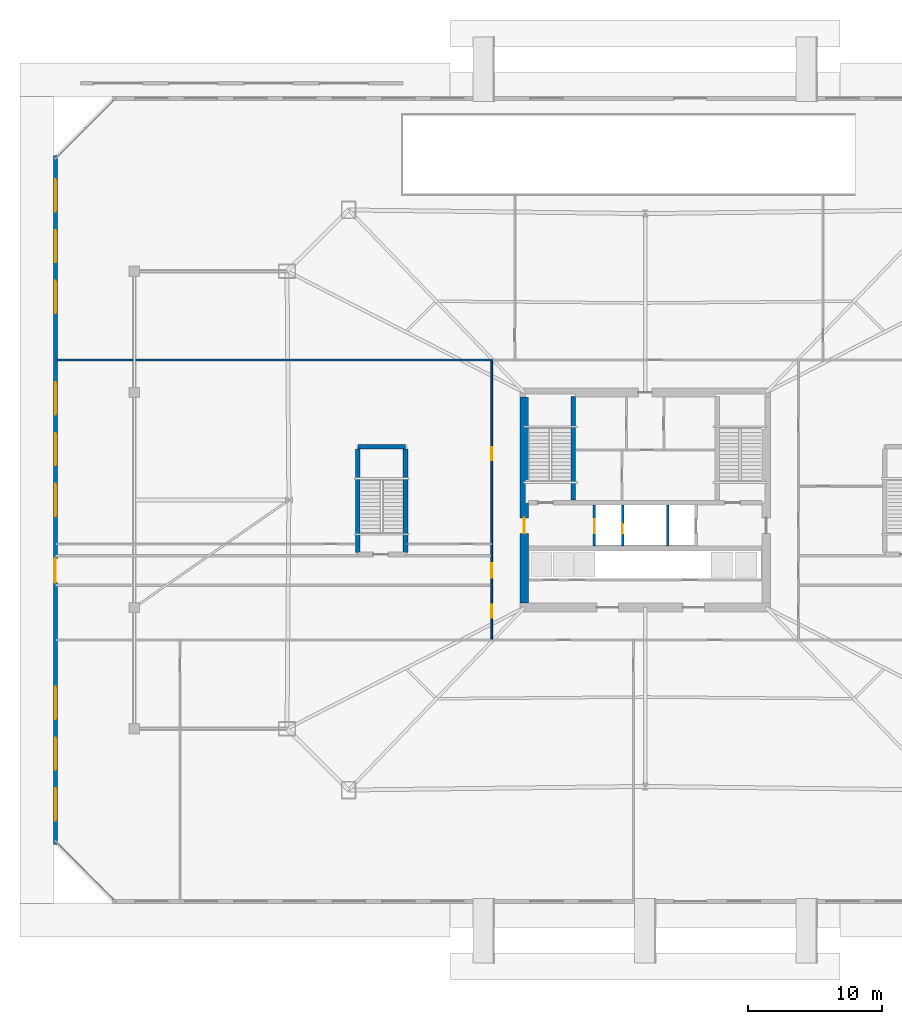
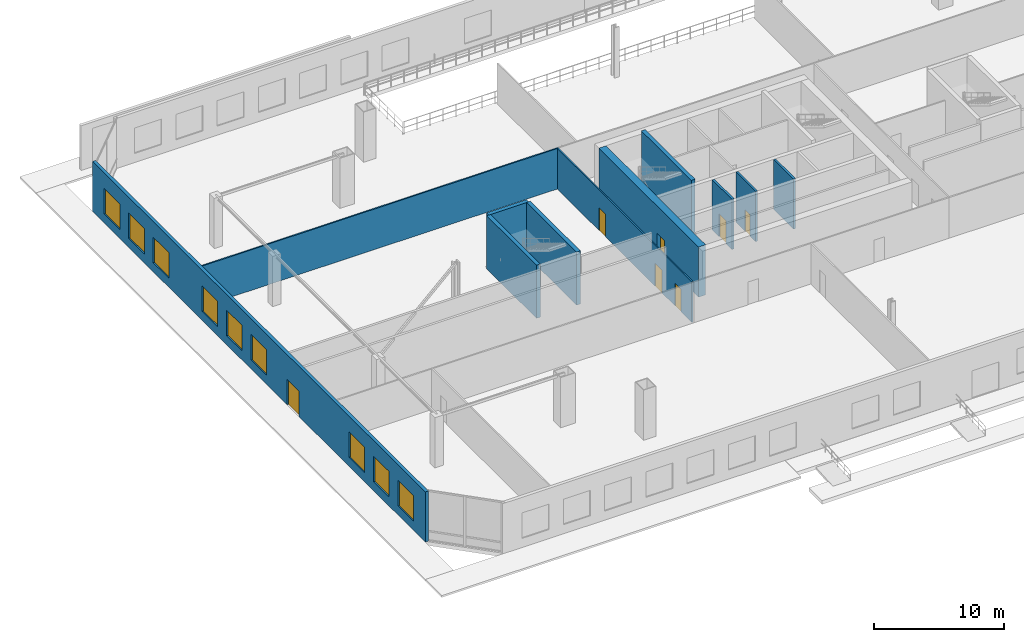
# One storey, part 15 of 23: 11 walls, 9 windows, 7 doors, 16 openings.
"""IFC4 building model written with IfcOpenShell, lengths in metres."""

from ifc_helpers import new_model, si_unit, direction, frame, frame_2d, origin, place, context, subcontext, project, spatial, rectangle, extrude, material, layer, layer_set, type_object, element, fill, save


model = new_model("IFC4")

# Units and contexts
model_context = context("Model", 3, precision=1e-05, world=origin(), true_north=direction((0.0, 1.0)))
body_context = subcontext(model_context, "Body", "Model", "MODEL_VIEW")
ifc_project = project(units=[si_unit("LENGTHUNIT", "METRE"), si_unit("AREAUNIT", "SQUARE_METRE"), si_unit("VOLUMEUNIT", "CUBIC_METRE"), si_unit("PLANEANGLEUNIT", "RADIAN"), si_unit("MASSUNIT", "GRAM", prefix="KILO")], contexts=[model_context])

# Site, building, storey
site_placement = place(None, origin())
site = spatial("IfcSite", under=ifc_project, at=site_placement, CompositionType="ELEMENT")
building_placement = place(site_placement, origin())
building = spatial("IfcBuilding", under=site, at=building_placement, Name="Caelvoria Tower", CompositionType="ELEMENT")
storey_placement = place(building_placement, origin())
storey = spatial("IfcBuildingStorey", under=building, at=storey_placement, Name="L00", CompositionType="ELEMENT", Elevation=0.0)

# Walls
ifc_material_1 = material(Name="Concrete C50/60", Category="concrete")
ifc_layer_1 = layer(ifc_material_1, 0.35009765625, Name="Concrete C50/60")
ifc_layer_set_1 = layer_set([ifc_layer_1], Name="Core Internal Shear Wall 350 - Concrete C50/60")
wall_type_1 = type_object("IfcWallType", Name="Core Internal Shear Wall 350", PredefinedType="SHEAR", material=ifc_layer_set_1)
wall_1_placement = place(storey_placement, frame((40.64990234375, 32.0, 0.0), z_axis=(0.0, 0.0, 1.0), x_axis=(0.0, 1.0, 0.0)))
element("IfcWall", 1, at=wall_1_placement, inside=storey, type_object=wall_type_1, Name="Interior Partition IW-L00-ST1E", PredefinedType="SHEAR", context=body_context, shape_type="SweptSolid", body=[
    extrude(rectangle(XDim=7.699951171875, YDim=0.35009765625, at=frame_2d((3.85009765625, 0.0))), origin(), (0.0, 0.0, 1.0), 5.0),
])
wall_2_placement = place(storey_placement, frame((24.625, 35.949951171875, 0.0), z_axis=(0.0, 0.0, 1.0), x_axis=(1.0, 0.0, 0.0)))
element("IfcWall", 2, at=wall_2_placement, inside=storey, type_object=wall_type_1, Name="Podium Stair Shear Wall L00 ST3 N", PredefinedType="SHEAR", context=body_context, shape_type="SweptSolid", body=[
    extrude(rectangle(XDim=3.550048828125, YDim=0.35009765625, at=frame_2d((1.77490234375, 0.0))), origin(), (0.0, 0.0, 1.0), 5.0),
])
for number, where, z_axis, x_axis, name in (
    (3, (24.625, 28.10009765625, 0.0), (0.0, 0.0, 1.0), (0.0, 1.0, 0.0), "Podium Stair Shear Wall L00 ST3 W"),
    (4, (28.175048828125, 28.10009765625, 0.0), (0.0, 0.0, 1.0), (0.0, 1.0, 0.0), "Podium Stair Shear Wall L00 ST3 E"),
):
    element("IfcWall", number, at=place(storey_placement, frame(where, z_axis=z_axis, x_axis=x_axis)), inside=storey, type_object=wall_type_1, Name=name, PredefinedType="SHEAR", context=body_context, shape_type="SweptSolid", body=[
        extrude(rectangle(XDim=7.699951171875, YDim=0.35009765625, at=frame_2d((3.85009765625, 0.0))), origin(), (0.0, 0.0, 1.0), 5.0),
    ])

# Wall, openings, windows, door
ifc_material_2 = material(Name="Precast Concrete C40/50 with Bronze Cladding", Category="concrete")
ifc_layer_2 = layer(ifc_material_2, 0.280029296875, Name="Precast Concrete C40/50 with Bronze Cladding")
ifc_layer_set_2 = layer_set([ifc_layer_2], Name="Exterior Precast Concrete C40/50 Bronze-Clad Facade Wall 280 - Precast Concrete C40/50 with Bronze Cladding")
wall_type_2 = type_object("IfcWallType", Name="Exterior Precast Concrete C40/50 Bronze-Clad Facade Wall 280", PredefinedType="STANDARD", material=ifc_layer_set_2)
wall_3_placement = place(storey_placement, frame((2.139892578125, 57.639892578125, 0.0), z_axis=(0.0, 0.0, 1.0), x_axis=(0.0, -1.0, 0.0)))
wall_3 = element("IfcWall", 5, at=wall_3_placement, inside=storey, type_object=wall_type_2, Name="Exterior Facade Wall L00-E6", PredefinedType="STANDARD", context=body_context, shape_type="SweptSolid", body=[
    extrude(rectangle(XDim=51.27978515625, YDim=0.280029296875, at=frame_2d((25.639892578125, 0.0))), origin(), (0.0, 0.0, 1.0), 4.719970703125),
])
opening_1_placement = place(wall_3_placement, frame((29.989990234375, 0.0, 0.0)))
opening_1 = element("IfcOpeningElement", 6, at=opening_1_placement, cuts=wall_3, Name="Opening ED-02", PredefinedType="OPENING", context=body_context, shape_type="SweptSolid", body=[
    extrude(rectangle(XDim=1.800048828125, YDim=2.39990234375, at=frame_2d((0.89990234375, 1.199951171875))), frame((0.0, 0.14990234375, 0.0), z_axis=(0.0, -1.0, 0.0), x_axis=(1.0, 0.0, 0.0)), (0.0, 0.0, 1.0), 0.300048828125),
])
opening_2_placement = place(wall_3_placement, frame((1.78759765625, 0.0, 0.85009765625)))
opening_2 = element("IfcOpeningElement", 7, at=opening_2_placement, cuts=wall_3, Name="Opening WN-04", PredefinedType="OPENING", context=body_context, shape_type="SweptSolid", body=[
    extrude(rectangle(XDim=2.39990234375, YDim=2.39990234375, at=frame_2d((1.199951171875, 1.199951171875))), frame((0.0, 0.14990234375, 0.0), z_axis=(0.0, -1.0, 0.0), x_axis=(1.0, 0.0, 0.0)), (0.0, 0.0, 1.0), 0.300048828125),
])
opening_3_placement = place(wall_3_placement, frame((5.56298828125, 0.0, 0.85009765625)))
opening_3 = element("IfcOpeningElement", 8, at=opening_3_placement, cuts=wall_3, Name="Opening WN-04", PredefinedType="OPENING", context=body_context, shape_type="SweptSolid", body=[
    extrude(rectangle(XDim=2.39990234375, YDim=2.39990234375, at=frame_2d((1.199951171875, 1.199951171875))), frame((0.0, 0.14990234375, 0.0), z_axis=(0.0, -1.0, 0.0), x_axis=(1.0, 0.0, 0.0)), (0.0, 0.0, 1.0), 0.300048828125),
])
opening_4_placement = place(wall_3_placement, frame((9.33837890625, 0.0, 0.85009765625)))
opening_4 = element("IfcOpeningElement", 9, at=opening_4_placement, cuts=wall_3, Name="Opening WN-04", PredefinedType="OPENING", context=body_context, shape_type="SweptSolid", body=[
    extrude(rectangle(XDim=2.39990234375, YDim=2.39990234375, at=frame_2d((1.199951171875, 1.199951171875))), frame((0.0, 0.14990234375, 0.0), z_axis=(0.0, -1.0, 0.0), x_axis=(1.0, 0.0, 0.0)), (0.0, 0.0, 1.0), 0.300048828125),
])
opening_5_placement = place(wall_3_placement, frame((16.88916015625, 0.0, 0.85009765625)))
opening_5 = element("IfcOpeningElement", 10, at=opening_5_placement, cuts=wall_3, Name="Opening WN-04", PredefinedType="OPENING", context=body_context, shape_type="SweptSolid", body=[
    extrude(rectangle(XDim=2.39990234375, YDim=2.39990234375, at=frame_2d((1.199951171875, 1.199951171875))), frame((0.0, 0.14990234375, 0.0), z_axis=(0.0, -1.0, 0.0), x_axis=(1.0, 0.0, 0.0)), (0.0, 0.0, 1.0), 0.300048828125),
])
opening_6_placement = place(wall_3_placement, frame((20.66455078125, 0.0, 0.85009765625)))
opening_6 = element("IfcOpeningElement", 11, at=opening_6_placement, cuts=wall_3, Name="Opening WN-04", PredefinedType="OPENING", context=body_context, shape_type="SweptSolid", body=[
    extrude(rectangle(XDim=2.39990234375, YDim=2.39990234375, at=frame_2d((1.199951171875, 1.199951171875))), frame((0.0, 0.14990234375, 0.0), z_axis=(0.0, -1.0, 0.0), x_axis=(1.0, 0.0, 0.0)), (0.0, 0.0, 1.0), 0.300048828125),
])
opening_7_placement = place(wall_3_placement, frame((24.43994140625, 0.0, 0.85009765625)))
opening_7 = element("IfcOpeningElement", 12, at=opening_7_placement, cuts=wall_3, Name="Opening WN-04", PredefinedType="OPENING", context=body_context, shape_type="SweptSolid", body=[
    extrude(rectangle(XDim=2.39990234375, YDim=2.39990234375, at=frame_2d((1.199951171875, 1.199951171875))), frame((0.0, 0.14990234375, 0.0), z_axis=(0.0, -1.0, 0.0), x_axis=(1.0, 0.0, 0.0)), (0.0, 0.0, 1.0), 0.300048828125),
])
opening_8_placement = place(wall_3_placement, frame((39.54150390625, 0.0, 0.85009765625)))
opening_8 = element("IfcOpeningElement", 13, at=opening_8_placement, cuts=wall_3, Name="Opening WN-04", PredefinedType="OPENING", context=body_context, shape_type="SweptSolid", body=[
    extrude(rectangle(XDim=2.39990234375, YDim=2.39990234375, at=frame_2d((1.199951171875, 1.199951171875))), frame((0.0, 0.14990234375, 0.0), z_axis=(0.0, -1.0, 0.0), x_axis=(1.0, 0.0, 0.0)), (0.0, 0.0, 1.0), 0.300048828125),
])
opening_9_placement = place(wall_3_placement, frame((43.31689453125, 0.0, 0.85009765625)))
opening_9 = element("IfcOpeningElement", 14, at=opening_9_placement, cuts=wall_3, Name="Opening WN-04", PredefinedType="OPENING", context=body_context, shape_type="SweptSolid", body=[
    extrude(rectangle(XDim=2.39990234375, YDim=2.39990234375, at=frame_2d((1.199951171875, 1.199951171875))), frame((0.0, 0.14990234375, 0.0), z_axis=(0.0, -1.0, 0.0), x_axis=(1.0, 0.0, 0.0)), (0.0, 0.0, 1.0), 0.300048828125),
])
opening_10_placement = place(wall_3_placement, frame((47.09228515625, 0.0, 0.85009765625)))
opening_10 = element("IfcOpeningElement", 15, at=opening_10_placement, cuts=wall_3, Name="Opening WN-04", PredefinedType="OPENING", context=body_context, shape_type="SweptSolid", body=[
    extrude(rectangle(XDim=2.39990234375, YDim=2.39990234375, at=frame_2d((1.199951171875, 1.199951171875))), frame((0.0, 0.14990234375, 0.0), z_axis=(0.0, -1.0, 0.0), x_axis=(1.0, 0.0, 0.0)), (0.0, 0.0, 1.0), 0.300048828125),
])
ifc_material_3 = material(Name="Low-E Tinted Glass in Bronze Aluminium Frame", Category="aluminium")
window_type = type_object("IfcWindowType", Name="Podium Commercial Ribbon Window 2400x2400", PartitioningType="SINGLE_PANEL", PredefinedType="WINDOW", material=ifc_material_3)
window_1_placement = place(opening_2_placement, origin())
window_1 = element("IfcWindow", 16, at=window_1_placement, inside=storey, type_object=window_type, Name="Facade Window L00-E6-00", OverallHeight=2.39990234375, OverallWidth=2.39990234375, PartitioningType="SINGLE_PANEL", PredefinedType="WINDOW", context=body_context, shape_type="SweptSolid", body=[
    extrude(rectangle(XDim=2.39990234375, YDim=2.39990234375, at=frame_2d((1.199951171875, 1.199951171875))), frame((0.0, 0.030029296875, 0.0), z_axis=(0.0, -1.0, 0.0), x_axis=(1.0, 0.0, 0.0)), (0.0, 0.0, 1.0), 0.06005859375),
])
fill(opening_2, window_1)
window_2_placement = place(opening_3_placement, origin())
window_2 = element("IfcWindow", 17, at=window_2_placement, inside=storey, type_object=window_type, Name="Facade Window L00-E6-01", OverallHeight=2.39990234375, OverallWidth=2.39990234375, PartitioningType="SINGLE_PANEL", PredefinedType="WINDOW", context=body_context, shape_type="SweptSolid", body=[
    extrude(rectangle(XDim=2.39990234375, YDim=2.39990234375, at=frame_2d((1.199951171875, 1.199951171875))), frame((0.0, 0.030029296875, 0.0), z_axis=(0.0, -1.0, 0.0), x_axis=(1.0, 0.0, 0.0)), (0.0, 0.0, 1.0), 0.06005859375),
])
fill(opening_3, window_2)
window_3_placement = place(opening_4_placement, origin())
window_3 = element("IfcWindow", 18, at=window_3_placement, inside=storey, type_object=window_type, Name="Facade Window L00-E6-02", OverallHeight=2.39990234375, OverallWidth=2.39990234375, PartitioningType="SINGLE_PANEL", PredefinedType="WINDOW", context=body_context, shape_type="SweptSolid", body=[
    extrude(rectangle(XDim=2.39990234375, YDim=2.39990234375, at=frame_2d((1.199951171875, 1.199951171875))), frame((0.0, 0.030029296875, 0.0), z_axis=(0.0, -1.0, 0.0), x_axis=(1.0, 0.0, 0.0)), (0.0, 0.0, 1.0), 0.06005859375),
])
fill(opening_4, window_3)
window_4_placement = place(opening_5_placement, origin())
window_4 = element("IfcWindow", 19, at=window_4_placement, inside=storey, type_object=window_type, Name="Facade Window L00-E6-04", OverallHeight=2.39990234375, OverallWidth=2.39990234375, PartitioningType="SINGLE_PANEL", PredefinedType="WINDOW", context=body_context, shape_type="SweptSolid", body=[
    extrude(rectangle(XDim=2.39990234375, YDim=2.39990234375, at=frame_2d((1.199951171875, 1.199951171875))), frame((0.0, 0.030029296875, 0.0), z_axis=(0.0, -1.0, 0.0), x_axis=(1.0, 0.0, 0.0)), (0.0, 0.0, 1.0), 0.06005859375),
])
fill(opening_5, window_4)
window_5_placement = place(opening_6_placement, origin())
window_5 = element("IfcWindow", 20, at=window_5_placement, inside=storey, type_object=window_type, Name="Facade Window L00-E6-05", OverallHeight=2.39990234375, OverallWidth=2.39990234375, PartitioningType="SINGLE_PANEL", PredefinedType="WINDOW", context=body_context, shape_type="SweptSolid", body=[
    extrude(rectangle(XDim=2.39990234375, YDim=2.39990234375, at=frame_2d((1.199951171875, 1.199951171875))), frame((0.0, 0.030029296875, 0.0), z_axis=(0.0, -1.0, 0.0), x_axis=(1.0, 0.0, 0.0)), (0.0, 0.0, 1.0), 0.06005859375),
])
fill(opening_6, window_5)
window_6_placement = place(opening_7_placement, origin())
window_6 = element("IfcWindow", 21, at=window_6_placement, inside=storey, type_object=window_type, Name="Facade Window L00-E6-06", OverallHeight=2.39990234375, OverallWidth=2.39990234375, PartitioningType="SINGLE_PANEL", PredefinedType="WINDOW", context=body_context, shape_type="SweptSolid", body=[
    extrude(rectangle(XDim=2.39990234375, YDim=2.39990234375, at=frame_2d((1.199951171875, 1.199951171875))), frame((0.0, 0.030029296875, 0.0), z_axis=(0.0, -1.0, 0.0), x_axis=(1.0, 0.0, 0.0)), (0.0, 0.0, 1.0), 0.06005859375),
])
fill(opening_7, window_6)
window_7_placement = place(opening_8_placement, origin())
window_7 = element("IfcWindow", 22, at=window_7_placement, inside=storey, type_object=window_type, Name="Facade Window L00-E6-10", OverallHeight=2.39990234375, OverallWidth=2.39990234375, PartitioningType="SINGLE_PANEL", PredefinedType="WINDOW", context=body_context, shape_type="SweptSolid", body=[
    extrude(rectangle(XDim=2.39990234375, YDim=2.39990234375, at=frame_2d((1.199951171875, 1.199951171875))), frame((0.0, 0.030029296875, 0.0), z_axis=(0.0, -1.0, 0.0), x_axis=(1.0, 0.0, 0.0)), (0.0, 0.0, 1.0), 0.06005859375),
])
fill(opening_8, window_7)
window_8_placement = place(opening_9_placement, origin())
window_8 = element("IfcWindow", 23, at=window_8_placement, inside=storey, type_object=window_type, Name="Facade Window L00-E6-11", OverallHeight=2.39990234375, OverallWidth=2.39990234375, PartitioningType="SINGLE_PANEL", PredefinedType="WINDOW", context=body_context, shape_type="SweptSolid", body=[
    extrude(rectangle(XDim=2.39990234375, YDim=2.39990234375, at=frame_2d((1.199951171875, 1.199951171875))), frame((0.0, 0.030029296875, 0.0), z_axis=(0.0, -1.0, 0.0), x_axis=(1.0, 0.0, 0.0)), (0.0, 0.0, 1.0), 0.06005859375),
])
fill(opening_9, window_8)
window_9_placement = place(opening_10_placement, origin())
window_9 = element("IfcWindow", 24, at=window_9_placement, inside=storey, type_object=window_type, Name="Facade Window L00-E6-12", OverallHeight=2.39990234375, OverallWidth=2.39990234375, PartitioningType="SINGLE_PANEL", PredefinedType="WINDOW", context=body_context, shape_type="SweptSolid", body=[
    extrude(rectangle(XDim=2.39990234375, YDim=2.39990234375, at=frame_2d((1.199951171875, 1.199951171875))), frame((0.0, 0.030029296875, 0.0), z_axis=(0.0, -1.0, 0.0), x_axis=(1.0, 0.0, 0.0)), (0.0, 0.0, 1.0), 0.06005859375),
])
fill(opening_10, window_9)
ifc_material_4 = material(Name="Anodised Bronze Aluminium and Laminated Glass", Category="aluminium")
door_type_1 = type_object("IfcDoorType", Name="Retail Streetfront Glazed Door 1800x2400", OperationType="NOTDEFINED", PredefinedType="DOOR", material=ifc_material_4)
door_1_placement = place(opening_1_placement, frame((1.800048828125, 0.0, 0.0), z_axis=(0.0, 0.0, 1.0), x_axis=(-1.0, 0.0, 0.0)))
door_1 = element("IfcDoor", 25, at=door_1_placement, inside=storey, type_object=door_type_1, Name="West Protected Stair Exit Discharge Door", OperationType="DOUBLE_DOOR_SINGLE_SWING", OverallHeight=2.39990234375, OverallWidth=1.800048828125, PredefinedType="DOOR", context=body_context, shape_type="SweptSolid", body=[
    extrude(rectangle(XDim=1.800048828125, YDim=2.39990234375, at=frame_2d((0.89990234375, 1.199951171875))), frame((0.0, 0.02490234375, 0.0), z_axis=(0.0, -1.0, 0.0), x_axis=(1.0, 0.0, 0.0)), (0.0, 0.0, 1.0), 0.050048828125),
])
fill(opening_1, door_1)

# Wall, opening, door
ifc_material_5 = material(Name="Concrete Block and Fireboard Assembly", Category="concrete")
ifc_layer_3 = layer(ifc_material_5, 0.179931640625, Name="Concrete Block and Fireboard Assembly")
ifc_layer_set_3 = layer_set([ifc_layer_3], Name="Fire-Rated Hoistway Partition Wall 180 - Concrete Block and Fireboard Assembly")
wall_type_3 = type_object("IfcWallType", Name="Fire-Rated Hoistway Partition Wall 180", PredefinedType="PARTITIONING", material=ifc_layer_set_3)
wall_4_placement = place(storey_placement, frame((44.320068359375, 28.580078125, 0.0), z_axis=(0.0, 0.0, 1.0), x_axis=(0.0, 1.0, 0.0)))
wall_4 = element("IfcWall", 26, at=wall_4_placement, inside=storey, type_object=wall_type_3, Name="Interior Partition IW-L00-SV1W", PredefinedType="PARTITIONING", context=body_context, shape_type="SweptSolid", body=[
    extrude(rectangle(XDim=3.0400390625, YDim=0.179931640625, at=frame_2d((1.52001953125, 0.0))), origin(), (0.0, 0.0, 1.0), 4.719970703125),
])
opening_11_placement = place(wall_4_placement, frame((0.89990234375, 0.0, 0.0)))
opening_11 = element("IfcOpeningElement", 27, at=opening_11_placement, cuts=wall_4, Name="Opening TD-01", PredefinedType="OPENING", context=body_context, shape_type="SweptSolid", body=[
    extrude(rectangle(XDim=0.75, YDim=2.0, at=frame_2d((0.375, 1.0))), frame((0.0, 0.099853515625, 0.0), z_axis=(0.0, -1.0, 0.0), x_axis=(1.0, 0.0, 0.0)), (0.0, 0.0, 1.0), 0.199951171875),
])
ifc_material_6 = material(Name="Insulated Steel Service Access Trapdoor", Category="steel")
door_type_2 = type_object("IfcDoorType", Name="Riser Maintenance Access Trapdoor 750x1850", OperationType="NOTDEFINED", PredefinedType="TRAPDOOR", material=ifc_material_6)
door_2_placement = place(opening_11_placement, origin())
door_2 = element("IfcDoor", 28, at=door_2_placement, inside=storey, type_object=door_type_2, Name="Wet Riser Access Trapdoor L00", OperationType="SINGLE_SWING_LEFT", OverallHeight=2.0, OverallWidth=0.75, PredefinedType="TRAPDOOR", context=body_context, shape_type="SweptSolid", body=[
    extrude(rectangle(XDim=0.75, YDim=2.0, at=frame_2d((0.375, 1.0))), frame((0.0, 0.02490234375, 0.0), z_axis=(0.0, -1.0, 0.0), x_axis=(1.0, 0.0, 0.0)), (0.0, 0.0, 1.0), 0.050048828125),
])
fill(opening_11, door_2)

# Wall
wall_5_placement = place(storey_placement, frame((47.679931640625, 28.580078125, 0.0), z_axis=(0.0, 0.0, 1.0), x_axis=(0.0, 1.0, 0.0)))
element("IfcWall", 29, at=wall_5_placement, inside=storey, type_object=wall_type_3, Name="Interior Partition IW-L00-SV1E", PredefinedType="PARTITIONING", context=body_context, shape_type="SweptSolid", body=[
    extrude(rectangle(XDim=3.0400390625, YDim=0.179931640625, at=frame_2d((1.52001953125, 0.0))), origin(), (0.0, 0.0, 1.0), 4.719970703125),
])

# Wall, opening, door
ifc_layer_4 = layer(ifc_material_5, 0.199951171875, Name="Concrete Block and Fireboard Assembly")
ifc_layer_set_4 = layer_set([ifc_layer_4], Name="Fire-Rated Shaft and Core Partition Wall 200 - Concrete Block and Fireboard Assembly")
wall_type_4 = type_object("IfcWallType", Name="Fire-Rated Shaft and Core Partition Wall 200", PredefinedType="PARTITIONING", material=ifc_layer_set_4)
wall_6_placement = place(storey_placement, frame((42.219970703125, 28.580078125, 0.0), z_axis=(0.0, 0.0, 1.0), x_axis=(0.0, 1.0, 0.0)))
wall_6 = element("IfcWall", 30, at=wall_6_placement, inside=storey, type_object=wall_type_4, Name="Interior Partition IW-L00-LF1W", PredefinedType="PARTITIONING", context=body_context, shape_type="SweptSolid", body=[
    extrude(rectangle(XDim=3.0400390625, YDim=0.199951171875, at=frame_2d((1.52001953125, 0.0))), origin(), (0.0, 0.0, 1.0), 4.719970703125),
])
opening_12_placement = place(wall_6_placement, frame((0.949951171875, 0.0, 0.0)))
opening_12 = element("IfcOpeningElement", 31, at=opening_12_placement, cuts=wall_6, Name="Opening LD-01", PredefinedType="OPENING", context=body_context, shape_type="SweptSolid", body=[
    extrude(rectangle(XDim=1.050048828125, YDim=2.14990234375, at=frame_2d((0.52490234375, 1.074951171875))), frame((0.0, 0.10986328125, 0.0), z_axis=(0.0, -1.0, 0.0), x_axis=(1.0, 0.0, 0.0)), (0.0, 0.0, 1.0), 0.219970703125),
])
ifc_material_7 = material(Name="Brushed Bronze Stainless Sliding Landing Door", Category="aluminium")
door_type_3 = type_object("IfcDoorType", Name="Lift Landing Sliding Door 1100x2150", OperationType="NOTDEFINED", PredefinedType="DOOR", material=ifc_material_7)
door_3_placement = place(opening_12_placement, origin())
door_3 = element("IfcDoor", 32, at=door_3_placement, inside=storey, type_object=door_type_3, Name="Interior Door LD-L00-LF1", OperationType="SLIDING_TO_LEFT", OverallHeight=2.14990234375, OverallWidth=1.050048828125, PredefinedType="DOOR", context=body_context, shape_type="SweptSolid", body=[
    extrude(rectangle(XDim=1.050048828125, YDim=2.14990234375, at=frame_2d((0.52490234375, 1.074951171875))), frame((0.0, 0.02490234375, 0.0), z_axis=(0.0, -1.0, 0.0), x_axis=(1.0, 0.0, 0.0)), (0.0, 0.0, 1.0), 0.050048828125),
])
fill(opening_12, door_3)

ifc_material_8 = material(Name="Concrete C60/75", Category="concrete")
ifc_layer_5 = layer(ifc_material_8, 0.64990234375, Name="Concrete C60/75")
ifc_layer_set_5 = layer_set([ifc_layer_5], Name="Lower Core Shear Wall 650 - Concrete C60/75")
wall_type_5 = type_object("IfcWallType", Name="Lower Core Shear Wall 650", PredefinedType="SHEAR", material=ifc_layer_set_5)
wall_7_placement = place(storey_placement, frame((37.0, 24.324951171875, 0.0), z_axis=(0.0, 0.0, 1.0), x_axis=(0.0, 1.0, 0.0)))
wall_7 = element("IfcWall", 33, at=wall_7_placement, inside=storey, type_object=wall_type_5, Name="Core Shear Wall L00 W", PredefinedType="SHEAR", context=body_context, shape_type="SweptSolid", body=[
    extrude(rectangle(XDim=15.35009765625, YDim=0.64990234375, at=frame_2d((7.675048828125, 0.0))), origin(), (0.0, 0.0, 1.0), 4.719970703125),
])
opening_13_placement = place(wall_7_placement, frame((5.199951171875, 0.0, 0.0)))
opening_13 = element("IfcOpeningElement", 34, at=opening_13_placement, cuts=wall_7, Name="Opening ID-02", PredefinedType="OPENING", context=body_context, shape_type="SweptSolid", body=[
    extrude(rectangle(XDim=1.14990234375, YDim=2.14990234375, at=frame_2d((0.574951171875, 1.074951171875))), frame((0.0, 0.3349609375, 0.0), z_axis=(0.0, -1.0, 0.0), x_axis=(1.0, 0.0, 0.0)), (0.0, 0.0, 1.0), 0.669921875),
])
ifc_material_9 = material(Name="Painted Hollow Steel Fire Door", Category="steel")
door_type_4 = type_object("IfcDoorType", Name="Fire Door FD60S 1150x2150", OperationType="NOTDEFINED", PredefinedType="DOOR", material=ifc_material_9)
door_4_placement = place(opening_13_placement, origin())
door_4 = element("IfcDoor", 35, at=door_4_placement, inside=storey, type_object=door_type_4, Name="Core Door DR-L00-FFLW-OUT", OperationType="SINGLE_SWING_LEFT", OverallHeight=2.14990234375, OverallWidth=1.14990234375, PredefinedType="DOOR", context=body_context, shape_type="SweptSolid", body=[
    extrude(rectangle(XDim=1.14990234375, YDim=2.14990234375, at=frame_2d((0.574951171875, 1.074951171875))), frame((0.0, 0.02490234375, 0.0), z_axis=(0.0, -1.0, 0.0), x_axis=(1.0, 0.0, 0.0)), (0.0, 0.0, 1.0), 0.050048828125),
])
fill(opening_13, door_4)

# Wall, openings, doors
ifc_material_10 = material(Name="Acoustic Gypsum Board on Light-Gauge Stud", Category="gypsum")
ifc_layer_6 = layer(ifc_material_10, 0.1201171875, Name="Acoustic Gypsum Board on Light-Gauge Stud")
ifc_layer_set_6 = layer_set([ifc_layer_6], Name="Tenant Suite Acoustic Partition Wall 120 - Acoustic Gypsum Board on Light-Gauge Stud")
wall_type_6 = type_object("IfcWallType", Name="Tenant Suite Acoustic Partition Wall 120", PredefinedType="PARTITIONING", material=ifc_layer_set_6)
wall_8_placement = place(storey_placement, frame((34.590087890625, 21.64990234375, 0.0), z_axis=(0.0, 0.0, 1.0), x_axis=(0.0, 1.0, 0.0)))
wall_8 = element("IfcWall", 36, at=wall_8_placement, inside=storey, type_object=wall_type_6, Name="Interior Partition IW-L00-WCW-0", PredefinedType="PARTITIONING", context=body_context, shape_type="SweptSolid", body=[
    extrude(rectangle(XDim=20.7001953125, YDim=0.1201171875, at=frame_2d((10.35009765625, 0.0))), origin(), (0.0, 0.0, 1.0), 3.820068359375),
])
opening_14_placement = place(wall_8_placement, frame((1.60498046875, 0.0, 0.0)))
opening_14 = element("IfcOpeningElement", 37, at=opening_14_placement, cuts=wall_8, Name="Opening ID-05", PredefinedType="OPENING", context=body_context, shape_type="SweptSolid", body=[
    extrude(rectangle(XDim=0.949951171875, YDim=2.14990234375, at=frame_2d((0.47509765625, 1.074951171875))), frame((0.0, 0.070068359375, 0.0), z_axis=(0.0, -1.0, 0.0), x_axis=(1.0, 0.0, 0.0)), (0.0, 0.0, 1.0), 0.14013671875),
])
opening_15_placement = place(wall_8_placement, frame((13.31103515625, 0.0, 0.0)))
opening_15 = element("IfcOpeningElement", 38, at=opening_15_placement, cuts=wall_8, Name="Opening ID-05", PredefinedType="OPENING", context=body_context, shape_type="SweptSolid", body=[
    extrude(rectangle(XDim=0.949951171875, YDim=2.14990234375, at=frame_2d((0.47509765625, 1.074951171875))), frame((0.0, 0.070068359375, 0.0), z_axis=(0.0, -1.0, 0.0), x_axis=(1.0, 0.0, 0.0)), (0.0, 0.0, 1.0), 0.14013671875),
])
opening_16_placement = place(wall_8_placement, frame((4.550048828125, 0.0, 0.0)))
opening_16 = element("IfcOpeningElement", 39, at=opening_16_placement, cuts=wall_8, Name="Opening ID-01", PredefinedType="OPENING", context=body_context, shape_type="SweptSolid", body=[
    extrude(rectangle(XDim=1.10009765625, YDim=2.14990234375, at=frame_2d((0.550048828125, 1.074951171875))), frame((0.0, 0.070068359375, 0.0), z_axis=(0.0, -1.0, 0.0), x_axis=(1.0, 0.0, 0.0)), (0.0, 0.0, 1.0), 0.14013671875),
])
door_type_5 = type_object("IfcDoorType", Name="Fire Door FD90S 1100x2150", OperationType="NOTDEFINED", PredefinedType="DOOR", material=ifc_material_9)
door_5_placement = place(opening_16_placement, origin())
door_5 = element("IfcDoor", 40, at=door_5_placement, inside=storey, type_object=door_type_5, Name="Interior Door DR-L00-EXW-IN", OperationType="SINGLE_SWING_LEFT", OverallHeight=2.14990234375, OverallWidth=1.10009765625, PredefinedType="DOOR", context=body_context, shape_type="SweptSolid", body=[
    extrude(rectangle(XDim=1.10009765625, YDim=2.14990234375, at=frame_2d((0.550048828125, 1.074951171875))), frame((0.0, 0.02490234375, 0.0), z_axis=(0.0, -1.0, 0.0), x_axis=(1.0, 0.0, 0.0)), (0.0, 0.0, 1.0), 0.050048828125),
])
fill(opening_16, door_5)
ifc_material_11 = material(Name="Engineered Andean Oak Veneer Door", Category="wood")
door_type_6 = type_object("IfcDoorType", Name="Interior Timber Door 950x2150", OperationType="NOTDEFINED", PredefinedType="DOOR", material=ifc_material_11)
door_6_placement = place(opening_14_placement, origin())
door_6 = element("IfcDoor", 41, at=door_6_placement, inside=storey, type_object=door_type_6, Name="Interior Door DR-L00-WC-00-0", OperationType="SINGLE_SWING_LEFT", OverallHeight=2.14990234375, OverallWidth=0.949951171875, PredefinedType="DOOR", context=body_context, shape_type="SweptSolid", body=[
    extrude(rectangle(XDim=0.949951171875, YDim=2.14990234375, at=frame_2d((0.47509765625, 1.074951171875))), frame((0.0, 0.02490234375, 0.0), z_axis=(0.0, -1.0, 0.0), x_axis=(1.0, 0.0, 0.0)), (0.0, 0.0, 1.0), 0.050048828125),
])
fill(opening_14, door_6)
door_7_placement = place(opening_15_placement, origin())
door_7 = element("IfcDoor", 42, at=door_7_placement, inside=storey, type_object=door_type_6, Name="Interior Door DR-L00-WC-01-0", OperationType="SINGLE_SWING_RIGHT", OverallHeight=2.14990234375, OverallWidth=0.949951171875, PredefinedType="DOOR", context=body_context, shape_type="SweptSolid", body=[
    extrude(rectangle(XDim=0.949951171875, YDim=2.14990234375, at=frame_2d((0.47509765625, 1.074951171875))), frame((0.0, 0.02490234375, 0.0), z_axis=(0.0, -1.0, 0.0), x_axis=(1.0, 0.0, 0.0)), (0.0, 0.0, 1.0), 0.050048828125),
])
fill(opening_15, door_7)

# Wall
wall_9_placement = place(storey_placement, frame((34.64990234375, 42.409912109375, 0.0), z_axis=(0.0, 0.0, 1.0), x_axis=(-1.0, 0.0, 0.0)))
element("IfcWall", 43, at=wall_9_placement, inside=storey, type_object=wall_type_6, Name="Interior Partition IW-L00-BNW-0", PredefinedType="PARTITIONING", context=body_context, shape_type="SweptSolid", body=[
    extrude(rectangle(XDim=32.469970703125, YDim=0.1201171875, at=frame_2d((16.23486328125, 0.0))), origin(), (0.0, 0.0, 1.0), 3.820068359375),
])

save(model, "model.ifc")
